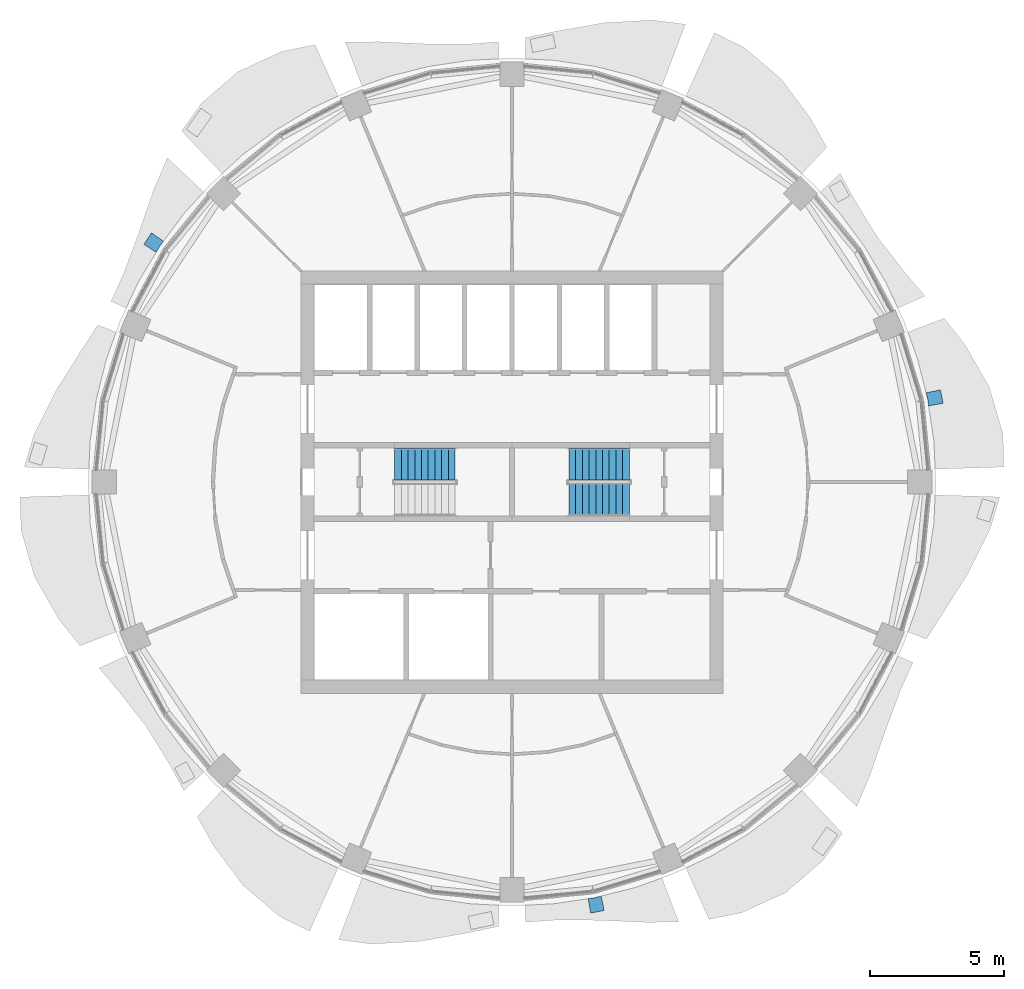
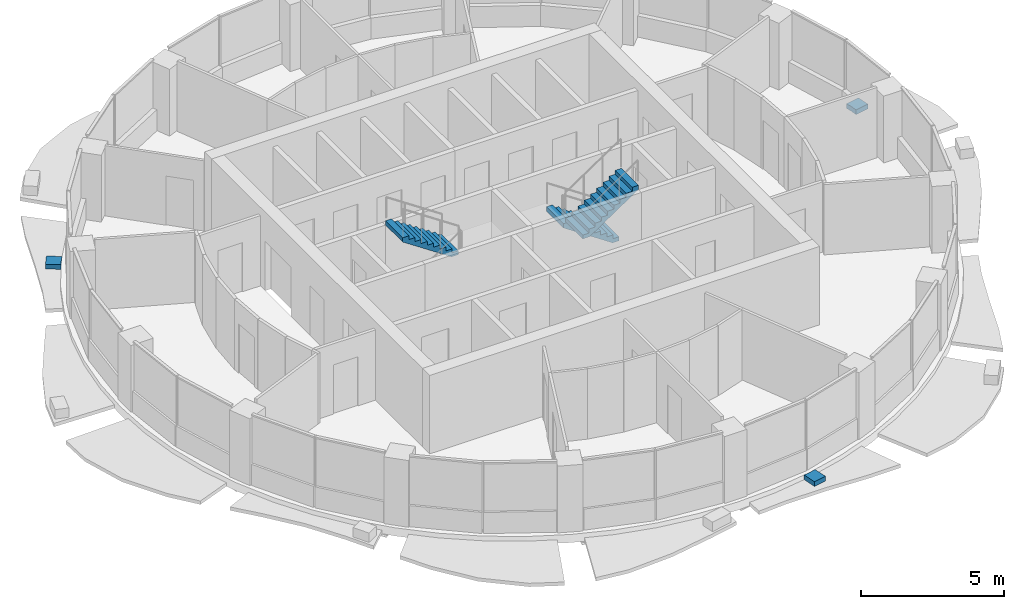
# One storey, part 10 of 14: 3 discrete accessories, 3 stair flights, 2 elements without a shape of their own.
"""IFC4 building model written with IfcOpenShell, lengths in metres."""

import ifcopenshell
import ifcopenshell.guid

model = None  # the IFC model being written
_history = None  # IfcOwnerHistory: only IFC2X3 demands one
_inside = {}  # id of a spatial element -> (the spatial element, [elements in it])
_under = {}  # id of a project, library or spatial element -> (it, [spatial elements below it])
_declared = {}  # id of a project -> (the project, [libraries it declares])
_typed = {}  # id of a type object -> (the type object, [elements of that type])
_made_of = {}  # id of a material, layer set ... -> (it, [elements and type objects made of it])


def new_model(schema):
    """Start an empty IFC model of exactly this schema.

    Asked for "IFC4X3", IfcOpenShell would pick the latest addendum, in which some entities
    have other attributes; the version numbers below select the first issue.
    IFC2X3 requires an IfcOwnerHistory on every rooted entity: one is made here for all.
    """
    global model, _history
    if schema == "IFC4X3":
        model = ifcopenshell.file(schema_version=(4, 3, 0, 0))
    else:
        model = ifcopenshell.file(schema=schema)
    _inside.clear()
    _under.clear()
    _declared.clear()
    _typed.clear()
    _made_of.clear()
    _history = None
    if model.schema == "IFC2X3":
        org = make("IfcOrganization", Name="unknown")
        user = make(
            "IfcPersonAndOrganization",
            ThePerson=make("IfcPerson", FamilyName="unknown"),
            TheOrganization=org,
        )
        app = make(
            "IfcApplication",
            ApplicationDeveloper=org,
            Version="unknown",
            ApplicationFullName="unknown",
            ApplicationIdentifier="unknown",
        )
        _history = make(
            "IfcOwnerHistory",
            OwningUser=user,
            OwningApplication=app,
            ChangeAction="ADDED",
            CreationDate=0,
        )
    return model


def make(cls, **values):
    """One entity of the class cls with the attributes given. An attribute that is None is left unset."""
    return model.create_entity(
        cls, **{name: value for name, value in values.items() if value is not None}
    )


def rooted(cls, **values):
    """An entity with a GlobalId (a new one), such as an element, a storey or a relation."""
    return make(cls, GlobalId=ifcopenshell.guid.new(), OwnerHistory=_history, **values)


def si_unit(unit_type, name, prefix=None):
    """IfcSIUnit, for example si_unit("LENGTHUNIT", "METRE", prefix="MILLI")."""
    return make("IfcSIUnit", UnitType=unit_type, Prefix=prefix, Name=name)


def assignment(units):
    """IfcUnitAssignment: the units of a project."""
    return None if units is None else make("IfcUnitAssignment", Units=units)


def point(xyz):
    """IfcCartesianPoint."""
    return None if xyz is None else make("IfcCartesianPoint", Coordinates=xyz)


def direction(xyz):
    """IfcDirection."""
    return None if xyz is None else make("IfcDirection", DirectionRatios=xyz)


def frame(location, z_axis=None, x_axis=None):
    """IfcAxis2Placement3D, a coordinate frame: its origin and axes. An axis left out is left unset."""
    return make(
        "IfcAxis2Placement3D",
        Location=point(location),
        Axis=direction(z_axis),
        RefDirection=direction(x_axis),
    )


def origin():
    """The frame at (0, 0, 0) with its axes left unset."""
    return frame((0.0, 0.0, 0.0))


def place(relative_to, where):
    """IfcLocalPlacement: puts the frame where relative to a parent placement (None: the world)."""
    return make(
        "IfcLocalPlacement", PlacementRelTo=relative_to, RelativePlacement=where
    )


def context(
    kind, dimensions, precision=None, world=None, true_north=None, identifier=None
):
    """IfcGeometricRepresentationContext, for example the 3D "Model" context."""
    return make(
        "IfcGeometricRepresentationContext",
        ContextIdentifier=identifier,
        ContextType=kind,
        CoordinateSpaceDimension=dimensions,
        Precision=precision,
        WorldCoordinateSystem=world,
        TrueNorth=true_north,
    )


def subcontext(parent, identifier, kind, view, scale=None):
    """IfcGeometricRepresentationSubContext, for example "Body" below "Model"."""
    return make(
        "IfcGeometricRepresentationSubContext",
        ContextIdentifier=identifier,
        ContextType=kind,
        ParentContext=parent,
        TargetScale=scale,
        TargetView=view,
    )


def project(units=None, contexts=None):
    """IfcProject with its units and contexts."""
    return rooted(
        "IfcProject",
        Name="project",
        RepresentationContexts=contexts,
        UnitsInContext=assignment(units),
    )


def spatial(cls, under=None, at=None, **own):
    """A site, building, storey or space (cls), placed at a placement, below another one or the project."""
    s = rooted(cls, ObjectPlacement=at, **own)
    if under is not None:
        _under.setdefault(under.id(), (under, []))[1].append(s)
    return s


def polyline(points):
    """IfcPolyline through the points."""
    return make("IfcPolyline", Points=[point(p) for p in points])


def outline(outer, holes=None, kind="AREA"):
    """IfcArbitraryClosedProfileDef: a profile drawn as a closed curve; with holes, ...WithVoids."""
    if holes is None:
        return make("IfcArbitraryClosedProfileDef", ProfileType=kind, OuterCurve=outer)
    return make(
        "IfcArbitraryProfileDefWithVoids",
        ProfileType=kind,
        OuterCurve=outer,
        InnerCurves=holes,
    )


def extrude(swept, where, along, depth):
    """IfcExtrudedAreaSolid: the profile swept, set in the frame where, extruded along a direction by depth."""
    return make(
        "IfcExtrudedAreaSolid",
        SweptArea=swept,
        Position=where,
        ExtrudedDirection=direction(along),
        Depth=depth,
    )


def shape(context_of_items, identifier, shape_type, items):
    """IfcShapeRepresentation: the items that make up one representation, for example the "Body"."""
    return make(
        "IfcShapeRepresentation",
        ContextOfItems=context_of_items,
        RepresentationIdentifier=identifier,
        RepresentationType=shape_type,
        Items=items,
    )


def material(Name=None, Category=None):
    """IfcMaterial."""
    return make("IfcMaterial", Name=Name, Category=Category)


def made_of(thing, what):
    """Note that an element or type object is made of a material, layer set ...; save() writes the relation."""
    if what is not None:
        _made_of.setdefault(what.id(), (what, []))[1].append(thing)
    return thing


def type_object(cls, material=None, **own):
    """A type object (cls), such as IfcWallType, which elements share."""
    return made_of(rooted(cls, **own), material)


def element(
    cls,
    number,
    at=None,
    inside=None,
    cuts=None,
    type_object=None,
    material=None,
    context=None,
    identifier="Body",
    shape_type=None,
    held_by="IfcProductDefinitionShape",
    body=None,
    shapes=None,
    **own,
):
    """One element of the class cls, such as IfcWall. Its Tag is "e" and its number.

    at: its placement. inside: the storey or other place that contains it. cuts: it is an
    opening in that element (IfcRelVoidsElement). A single representation is given by context,
    identifier, shape_type and body (its items); several are given by shapes. held_by: the class
    of the entity that holds the representations. save() writes the other relations.
    """
    e = rooted(cls, Tag="e%d" % number, ObjectPlacement=at, **own)
    if body is not None:
        shapes = [shape(context, identifier, shape_type, body)]
    if shapes is not None:
        e.Representation = make(held_by, Representations=shapes)
    if inside is not None:
        _inside.setdefault(inside.id(), (inside, []))[1].append(e)
    if cuts is not None:
        rooted(
            "IfcRelVoidsElement", RelatingBuildingElement=cuts, RelatedOpeningElement=e
        )
    if type_object is not None:
        _typed.setdefault(type_object.id(), (type_object, []))[1].append(e)
    return made_of(e, material)


def aggregate(whole, parts):
    """IfcRelAggregates: a whole, such as a stair, and the parts it consists of."""
    return rooted("IfcRelAggregates", RelatingObject=whole, RelatedObjects=parts)


def save(model, path):
    """Write the relations noted so far, then the file.

    IfcRelAggregates (storeys below a building ...), IfcRelContainedInSpatialStructure (elements
    in a storey), IfcRelDefinesByType, IfcRelAssociatesMaterial and IfcRelDeclares: one each for
    every whole, place, type object, material and project.
    """
    for whole, parts in _under.values():
        aggregate(whole, parts)
    for where, things in _inside.values():
        rooted(
            "IfcRelContainedInSpatialStructure",
            RelatedElements=things,
            RelatingStructure=where,
        )
    for kind, things in _typed.values():
        rooted("IfcRelDefinesByType", RelatedObjects=things, RelatingType=kind)
    for what, things in _made_of.values():
        rooted("IfcRelAssociatesMaterial", RelatedObjects=things, RelatingMaterial=what)
    for by, libraries in _declared.values():
        rooted("IfcRelDeclares", RelatingContext=by, RelatedDefinitions=libraries)
    model.write(path)


model = new_model("IFC4")

# Units and contexts
model_context = context("Model", 3, precision=1e-05, world=origin(), true_north=direction((0.0, 1.0)))
body_context = subcontext(model_context, "Body", "Model", "MODEL_VIEW")
ifc_project = project(units=[si_unit("LENGTHUNIT", "METRE"), si_unit("AREAUNIT", "SQUARE_METRE"), si_unit("VOLUMEUNIT", "CUBIC_METRE"), si_unit("PLANEANGLEUNIT", "RADIAN"), si_unit("MASSUNIT", "GRAM", prefix="KILO")], contexts=[model_context])

# Site, building, storey
site_placement = place(None, origin())
site = spatial("IfcSite", under=ifc_project, at=site_placement, CompositionType="ELEMENT")
building_placement = place(site_placement, origin())
building = spatial("IfcBuilding", under=site, at=building_placement, Name="Polderwave Tower", CompositionType="ELEMENT")
storey_placement = place(building_placement, frame((0.0, 0.0, 221.14990234375)))
storey = spatial("IfcBuildingStorey", under=building, at=storey_placement, Name="L60", CompositionType="ELEMENT", Elevation=221.14990234375)

# Stair, stair flight
ifc_material_1 = material(Name="Concrete C40/50", Category="concrete")
stair_type = type_object("IfcStairType", Name="Exit stair 1200 x 20 risers", PredefinedType="HALF_TURN_STAIR", material=ifc_material_1)
stair_1_placement = place(storey_placement, origin())
stair_1 = element("IfcStair", 1, at=stair_1_placement, inside=storey, type_object=stair_type, Name="L60 Exit stair A", PredefinedType="HALF_TURN_STAIR")
stair_flight_type = type_object("IfcStairFlightType", Name="Stair flight 1200", PredefinedType="STRAIGHT", material=ifc_material_1)
stair_flight_1_placement = place(storey_placement, frame((-2.1240234375, 0.675048828125, 1.675048828125), z_axis=(0.0, 0.0, 1.0), x_axis=(-1.0, 0.0, 0.0)))
stair_flight_1 = element("IfcStairFlight", 2, at=stair_flight_1_placement, type_object=stair_flight_type, Name="ST-A flight 2", NumberOfRisers=10, NumberOfTreads=9, PredefinedType="STRAIGHT", RiserHeight=0.1675, TreadLength=0.25, context=body_context, shape_type="SweptSolid", body=[
    extrude(outline(polyline([(0.0, 0.0), (0.0, 0.16748046875), (0.25, 0.16748046875), (0.25, 0.3349609375), (0.5, 0.3349609375), (0.5, 0.50244140625), (0.75, 0.50244140625), (0.75, 0.669921875), (1.0, 0.669921875), (1.0, 0.83740234375), (1.25, 0.83740234375), (1.25, 1.0048828125), (1.5, 1.0048828125), (1.5, 1.172607421875), (1.75, 1.172607421875), (1.75, 1.340087890625), (2.0, 1.340087890625), (2.0, 1.507568359375), (2.25, 1.507568359375), (2.25, 1.675048828125), (2.25, 1.3271484375), (0.269287109375, 0.0), (0.0, 0.0)])), frame((0.0, 0.60009765625, 0.0), z_axis=(0.0, -1.0, 0.0), x_axis=(1.0, 0.0, 0.0)), (0.0, 0.0, 1.0), 1.199951171875),
])
aggregate(stair_1, [stair_flight_1])

# Stair, stair flights
stair_2_placement = place(storey_placement, origin())
stair_2 = element("IfcStair", 3, at=stair_2_placement, inside=storey, type_object=stair_type, Name="L60 Exit stair B", PredefinedType="HALF_TURN_STAIR")
stair_flight_2_placement = place(storey_placement, frame((4.3740234375, 0.675048828125, 0.0), z_axis=(0.0, 0.0, 1.0), x_axis=(-1.0, 0.0, 0.0)))
stair_flight_2 = element("IfcStairFlight", 4, at=stair_flight_2_placement, type_object=stair_flight_type, Name="ST-B flight 1", NumberOfRisers=10, NumberOfTreads=9, PredefinedType="STRAIGHT", RiserHeight=0.1675, TreadLength=0.25, context=body_context, shape_type="SweptSolid", body=[
    extrude(outline(polyline([(0.0, 0.0), (0.0, 0.16748046875), (0.25, 0.16748046875), (0.25, 0.3349609375), (0.5, 0.3349609375), (0.5, 0.50244140625), (0.75, 0.50244140625), (0.75, 0.669921875), (1.0, 0.669921875), (1.0, 0.83740234375), (1.25, 0.83740234375), (1.25, 1.0048828125), (1.5, 1.0048828125), (1.5, 1.172607421875), (1.75, 1.172607421875), (1.75, 1.340087890625), (2.0, 1.340087890625), (2.0, 1.507568359375), (2.25, 1.507568359375), (2.25, 1.675048828125), (2.25, 1.3271484375), (0.269287109375, 0.0), (0.0, 0.0)])), frame((0.0, 0.60009765625, 0.0), z_axis=(0.0, -1.0, 0.0), x_axis=(1.0, 0.0, 0.0)), (0.0, 0.0, 1.0), 1.199951171875),
])
stair_flight_3_placement = place(storey_placement, frame((2.1240234375, -0.675048828125, 1.675048828125), z_axis=(0.0, 0.0, 1.0), x_axis=(1.0, 0.0, 0.0)))
stair_flight_3 = element("IfcStairFlight", 5, at=stair_flight_3_placement, type_object=stair_flight_type, Name="ST-B flight 2", NumberOfRisers=10, NumberOfTreads=9, PredefinedType="STRAIGHT", RiserHeight=0.1675, TreadLength=0.25, context=body_context, shape_type="SweptSolid", body=[
    extrude(outline(polyline([(0.0, 0.0), (0.0, 0.16748046875), (0.25, 0.16748046875), (0.25, 0.3349609375), (0.5, 0.3349609375), (0.5, 0.50244140625), (0.75, 0.50244140625), (0.75, 0.669921875), (1.0, 0.669921875), (1.0, 0.83740234375), (1.25, 0.83740234375), (1.25, 1.0048828125), (1.5, 1.0048828125), (1.5, 1.172607421875), (1.75, 1.172607421875), (1.75, 1.340087890625), (2.0, 1.340087890625), (2.0, 1.507568359375), (2.25, 1.507568359375), (2.25, 1.675048828125), (2.25, 1.3271484375), (0.269287109375, 0.0), (0.0, 0.0)])), frame((0.0, 0.60009765625, 0.0), z_axis=(0.0, -1.0, 0.0), x_axis=(1.0, 0.0, 0.0)), (0.0, 0.0, 1.0), 1.199951171875),
])
aggregate(stair_2, [stair_flight_2, stair_flight_3])

# Discrete accessories
ifc_material_2 = material(Name="Steel S355", Category="steel")
discrete_accessory_type = type_object("IfcDiscreteAccessoryType", Name="Band bracket pad", PredefinedType="BRACKET", material=ifc_material_2)
discrete_accessory_1_placement = place(storey_placement, frame((0.0, 0.0, -0.199951171875)))
element("IfcDiscreteAccessory", 6, at=discrete_accessory_1_placement, inside=storey, type_object=discrete_accessory_type, Name="Band bracket L60 1", PredefinedType="BRACKET", context=body_context, shape_type="SweptSolid", body=[
    extrude(outline(polyline([(15.533203125, 2.835205078125), (15.496337890625, 3.08251953125), (15.435791015625, 3.324951171875), (15.973388671875, 3.44091796875), (16.07421875, 2.933837890625), (15.533203125, 2.835205078125)])), origin(), (0.0, 0.0, 1.0), 0.199951171875),
])
discrete_accessory_2_placement = place(storey_placement, frame((0.0, 0.0, -0.199951171875)))
element("IfcDiscreteAccessory", 7, at=discrete_accessory_2_placement, inside=storey, type_object=discrete_accessory_type, Name="Band bracket L60 7", PredefinedType="BRACKET", context=body_context, shape_type="SweptSolid", body=[
    extrude(outline(polyline([(-12.98828125, 8.978759765625), (-13.13720703125, 8.778076171875), (-13.265625, 8.563720703125), (-13.727783203125, 8.86181640625), (-13.440673828125, 9.29150390625), (-12.98828125, 8.978759765625)])), origin(), (0.0, 0.0, 1.0), 0.199951171875),
])
discrete_accessory_3_placement = place(storey_placement, frame((0.0, 0.0, -0.199951171875)))
element("IfcDiscreteAccessory", 8, at=discrete_accessory_3_placement, inside=storey, type_object=discrete_accessory_type, Name="Band bracket L60 13", PredefinedType="BRACKET", context=body_context, shape_type="SweptSolid", body=[
    extrude(outline(polyline([(2.835205078125, -15.533203125), (3.08251953125, -15.496337890625), (3.324951171875, -15.435791015625), (3.44091796875, -15.973388671875), (2.933837890625, -16.07421875), (2.835205078125, -15.533203125)])), origin(), (0.0, 0.0, 1.0), 0.199951171875),
])

save(model, "model.ifc")
